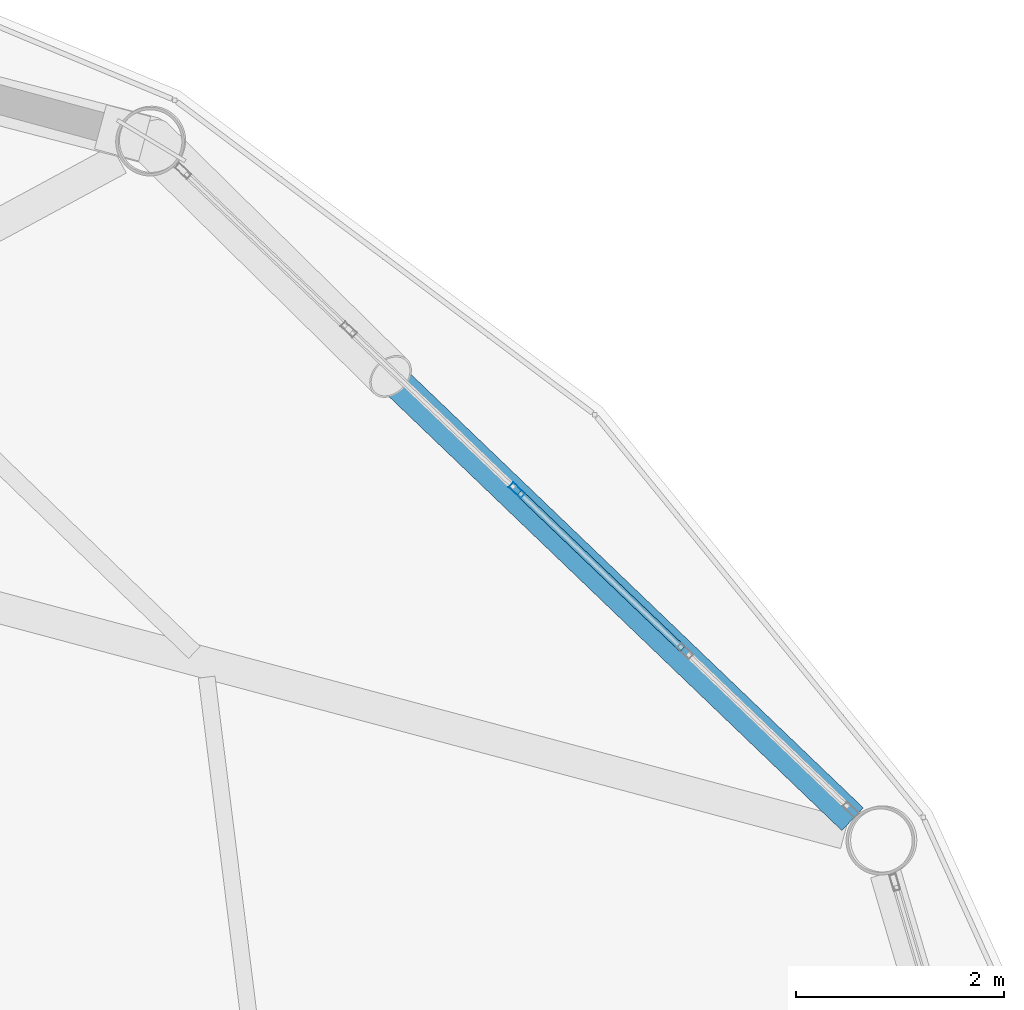
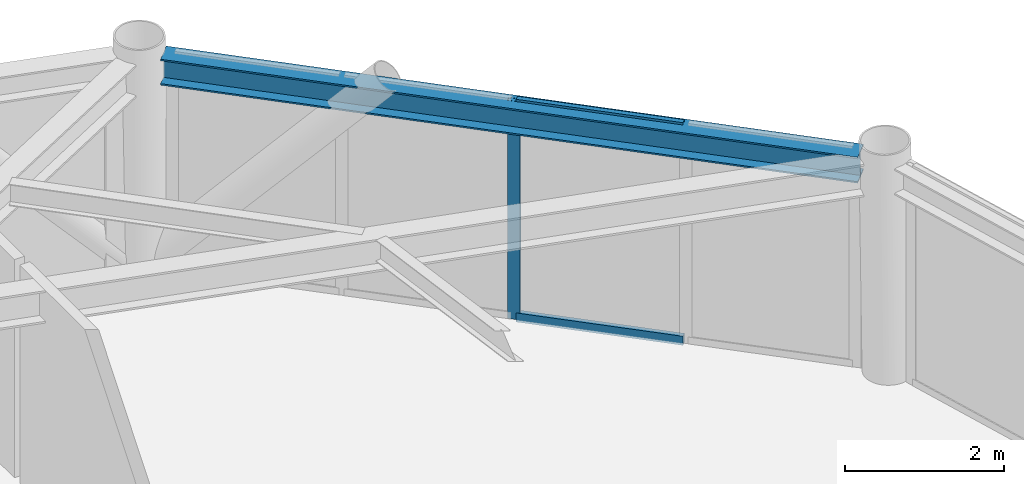
# One storey, part 17 of 28: 3 members, 1 beam, 1 element without a shape of its own.
"""IFC4 building model written with IfcOpenShell, lengths in metres."""

from ifc_helpers import new_model, si_unit, direction, frame, origin, origin_2d, place, context, subcontext, project, spatial, hollow_rectangle, i_section, extrude, material, layer, layer_set, material_profile, profile_set, type_object, element, aggregate, save


model = new_model("IFC4")

# Units and contexts
model_context = context("Model", 3, precision=1e-05, world=origin(), true_north=direction((0.0, 1.0)))
body_context = subcontext(model_context, "Body", "Model", "MODEL_VIEW")
ifc_project = project(units=[si_unit("LENGTHUNIT", "METRE"), si_unit("AREAUNIT", "SQUARE_METRE"), si_unit("VOLUMEUNIT", "CUBIC_METRE"), si_unit("PLANEANGLEUNIT", "RADIAN"), si_unit("MASSUNIT", "GRAM", prefix="KILO")], contexts=[model_context])

# Site, building, storey
site_placement = place(None, origin())
site = spatial("IfcSite", under=ifc_project, at=site_placement, CompositionType="ELEMENT")
building_placement = place(site_placement, origin())
building = spatial("IfcBuilding", under=site, at=building_placement, Name="Varnakorn Sky Granary", CompositionType="ELEMENT")
storey_placement = place(building_placement, frame((0.0, 0.0, 204.0)))
storey = spatial("IfcBuildingStorey", under=building, at=storey_placement, Name="L51", CompositionType="ELEMENT", Elevation=204.0)

# Beam
ifc_material_1 = material(Name="Steel S355JR", Category="steel")
ifc_material_profile_1 = material_profile(ifc_material_1, i_section(OverallWidth=0.300048828125, OverallDepth=0.39990234375, WebThickness=0.013427734375, FlangeThickness=0.02392578125, at=origin_2d()), Name="HE 400 B")
ifc_profile_set_1 = profile_set([ifc_material_profile_1], Name="Steel S355JR")
beam_type = type_object("IfcBeamType", Name="BM-SPD-Z4", PredefinedType="SPANDREL", material=ifc_profile_set_1)
beam_placement = place(storey_placement, frame((21.16796875, 9.373046875, 3.159912109375), z_axis=(-0.721976982037, 0.691917074084, 0.0), x_axis=(-0.691917074084, -0.721976982037, 0.0)))
element("IfcBeam", 1, at=beam_placement, inside=storey, type_object=beam_type, Name="Perimeter Spandrel Ring Beam RB02 L51", PredefinedType="SPANDREL", context=body_context, shape_type="SweptSolid", body=[
    extrude(i_section(OverallWidth=0.300048828125, OverallDepth=0.39990234375, WebThickness=0.013427734375, FlangeThickness=0.02392578125, at=origin_2d()), origin(), (0.0, 0.0, 1.0), 9.055908203125),
])

# Curtain wall, members
ifc_material_2 = material(Name="Anodised Bronze Aluminium Alloy 6063-T6", Category="aluminium")
ifc_layer = layer(ifc_material_2, 0.169921875, Name="Anodised Bronze Aluminium Alloy 6063-T6")
ifc_layer_set = layer_set([ifc_layer], Name="Anodised Bronze Aluminium Alloy 6063-T6")
curtain_wall_type = type_object("IfcCurtainWallType", Name="CW-LAB-1", PredefinedType="USERDEFINED", material=ifc_layer_set)
curtain_wall_placement = place(storey_placement, origin())
curtain_wall = element("IfcCurtainWall", 2, at=curtain_wall_placement, inside=storey, type_object=curtain_wall_type, Name="Unitised Curtain Wall CW5 CW-L51-B02", ObjectType="CURTAIN WALL", PredefinedType="USERDEFINED")
ifc_material_profile_2 = material_profile(ifc_material_2, hollow_rectangle(XDim=0.06494140625, YDim=0.159912109375, WallThickness=0.00341796875, at=origin_2d()), Name="ALU MULL 65x160")
ifc_profile_set_2 = profile_set([ifc_material_profile_2], Name="Anodised Bronze Aluminium Alloy 6063-T6")
member_type_1 = type_object("IfcMemberType", Name="CW-LAB-1-MULL", PredefinedType="MULLION", material=ifc_profile_set_2)
member_1_placement = place(storey_placement, frame((17.9453125, 12.529296875, 0.0), z_axis=(0.0, 0.0, 1.0), x_axis=(0.691317195735, 0.722551406393, 0.0)))
member_1 = element("IfcMember", 3, at=member_1_placement, type_object=member_type_1, Name="CW5 mullion 3", PredefinedType="MULLION", context=body_context, shape_type="SweptSolid", body=[
    extrude(hollow_rectangle(XDim=0.06494140625, YDim=0.159912109375, WallThickness=0.00341796875, at=origin_2d()), origin(), (0.0, 0.0, 1.0), 3.360107421875),
])
ifc_material_profile_3 = material_profile(ifc_material_2, hollow_rectangle(XDim=0.070068359375, YDim=0.139892578125, WallThickness=0.00341796875, at=origin_2d()), Name="ALU TRAN 70x140")
ifc_profile_set_3 = profile_set([ifc_material_profile_3], Name="Anodised Bronze Aluminium Alloy 6063-T6")
member_type_2 = type_object("IfcMemberType", Name="CW-LAB-1-TRAN", PredefinedType="USERDEFINED", material=ifc_profile_set_3)
member_2_placement = place(storey_placement, frame((17.968994140625, 12.5068359375, 0.034912109375), z_axis=(0.722475540564, -0.691396480528, 0.0), x_axis=(0.691396480528, 0.722475540564, 0.0)))
member_2 = element("IfcMember", 4, at=member_2_placement, type_object=member_type_2, Name="CW5 transom 3.1", ObjectType="TRANSOM", PredefinedType="USERDEFINED", context=body_context, shape_type="SweptSolid", body=[
    extrude(hollow_rectangle(XDim=0.070068359375, YDim=0.139892578125, WallThickness=0.00341796875, at=origin_2d()), origin(), (0.0, 0.0, 1.0), 2.168212890625),
])
member_3_placement = place(storey_placement, frame((17.968994140625, 12.5068359375, 3.324951171875), z_axis=(0.722475540564, -0.691396480528, 0.0), x_axis=(0.691396480528, 0.722475540564, 0.0)))
member_3 = element("IfcMember", 5, at=member_3_placement, type_object=member_type_2, Name="CW5 transom 3.2", ObjectType="TRANSOM", PredefinedType="USERDEFINED", context=body_context, shape_type="SweptSolid", body=[
    extrude(hollow_rectangle(XDim=0.070068359375, YDim=0.139892578125, WallThickness=0.00341796875, at=origin_2d()), origin(), (0.0, 0.0, 1.0), 2.168212890625),
])
aggregate(curtain_wall, [member_1, member_2, member_3])

save(model, "model.ifc")
